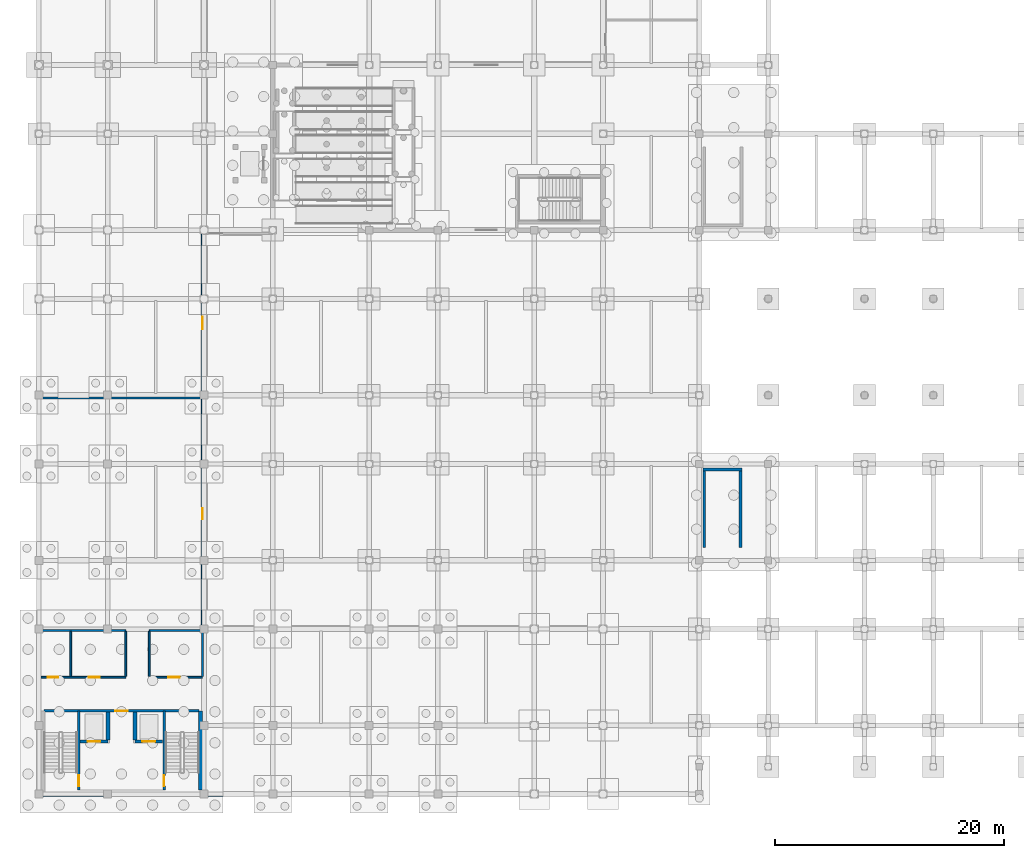
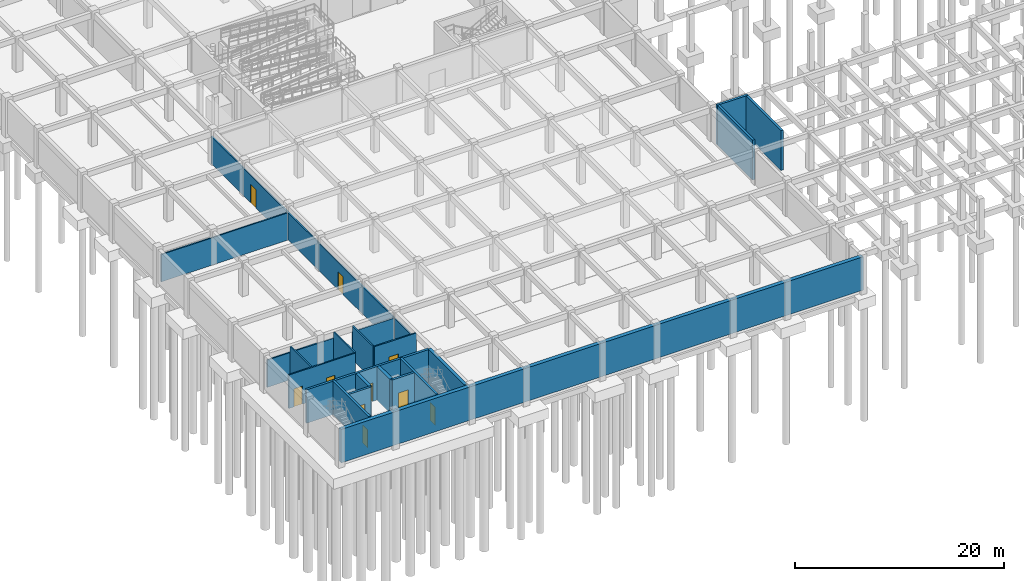
# One storey, part 24 of 40: 22 walls, 10 doors, 10 openings.
"""IFC4 building model written with IfcOpenShell, lengths in metres."""

from ifc_helpers import new_model, si_unit, direction, frame, frame_2d, origin, place, context, subcontext, project, spatial, rectangle, extrude, material, layer, layer_set, type_object, element, fill, save


model = new_model("IFC4")

# Units and contexts
model_context = context("Model", 3, precision=1e-05, world=origin(), true_north=direction((0.0, 1.0)))
body_context = subcontext(model_context, "Body", "Model", "MODEL_VIEW")
ifc_project = project(units=[si_unit("LENGTHUNIT", "METRE"), si_unit("AREAUNIT", "SQUARE_METRE"), si_unit("VOLUMEUNIT", "CUBIC_METRE"), si_unit("PLANEANGLEUNIT", "RADIAN"), si_unit("MASSUNIT", "GRAM", prefix="KILO"), si_unit("THERMODYNAMICTEMPERATUREUNIT", "KELVIN")], contexts=[model_context])

# Site, building, storey
site_placement = place(None, origin())
site = spatial("IfcSite", under=ifc_project, at=site_placement, CompositionType="ELEMENT")
building_placement = place(site_placement, origin())
building = spatial("IfcBuilding", under=site, at=building_placement, Name="Thalorik Housing Commons", CompositionType="ELEMENT")
storey_placement = place(building_placement, frame((0.0, 0.0, -4.199951171875)))
storey = spatial("IfcBuildingStorey", under=building, at=storey_placement, Name="B1", CompositionType="ELEMENT", Elevation=-4.199951171875)

# Walls
ifc_material_1 = material(Name="Concrete C40/50", Category="concrete")
ifc_layer_1 = layer(ifc_material_1, 0.25, Name="Concrete C40/50", Category="concrete")
ifc_layer_set_1 = layer_set([ifc_layer_1], Name="Concrete C40/50")
wall_type_1 = type_object("IfcWallType", Name="ARC-WAL-CORE-250", PredefinedType="SHEAR", material=ifc_layer_set_1)
for number, where, z_axis, x_axis, name in (
    (1, (69.574951171875, 29.89990234375, -0.449951171875), (0.0, 0.0, 1.0), (0.0, 1.0, 0.0), "B1 Stair ST-S1 Structural Support Wall L"),
    (2, (66.425048828125, 29.89990234375, -0.449951171875), (0.0, 0.0, 1.0), (0.0, 1.0, 0.0), "B1 Stair ST-S1 Structural Support Wall R"),
):
    element("IfcWall", number, at=place(storey_placement, frame(where, z_axis=z_axis, x_axis=x_axis)), inside=storey, type_object=wall_type_1, Name=name, PredefinedType="SHEAR", context=body_context, shape_type="SweptSolid", body=[
        extrude(rectangle(XDim=6.7001953125, YDim=0.25, at=frame_2d((3.35009765625, 0.0))), origin(), (0.0, 0.0, 1.0), 4.64990234375),
    ])
wall_1_placement = place(storey_placement, frame((69.699951171875, 36.72509765625, -0.449951171875), z_axis=(0.0, 0.0, 1.0), x_axis=(-1.0, 0.0, 0.0)))
element("IfcWall", 3, at=wall_1_placement, inside=storey, type_object=wall_type_1, Name="B1 Stair ST-S1 Structural Support Wall F", PredefinedType="SHEAR", context=body_context, shape_type="SweptSolid", body=[
    extrude(rectangle(XDim=3.39990234375, YDim=0.25, at=frame_2d((1.699951171875, 0.0))), origin(), (0.0, 0.0, 1.0), 4.64990234375),
])

# Wall, opening, door
wall_2_placement = place(storey_placement, frame((11.875, 8.75, 0.0), z_axis=(0.0, 0.0, 1.0), x_axis=(0.0, 1.0, 0.0)))
wall_2 = element("IfcWall", 4, at=wall_2_placement, inside=storey, type_object=wall_type_1, Name="B1 Core C Stair 1 Shear Wall", PredefinedType="SHEAR", context=body_context, shape_type="SweptSolid", body=[
    extrude(rectangle(XDim=6.925048828125, YDim=0.25, at=frame_2d((3.46240234375, 0.0))), origin(), (0.0, 0.0, 1.0), 3.89990234375),
])
opening_1_placement = place(wall_2_placement, frame((0.35009765625, 0.0, 0.0)))
opening_1 = element("IfcOpeningElement", 5, at=opening_1_placement, cuts=wall_2, Name="Opening ID-0249", PredefinedType="OPENING", context=body_context, shape_type="SweptSolid", body=[
    extrude(rectangle(XDim=0.949951171875, YDim=2.10009765625, at=frame_2d((0.47509765625, 1.050048828125))), frame((0.0, 0.135009765625, 0.0), z_axis=(0.0, -1.0, 0.0), x_axis=(1.0, 0.0, 0.0)), (0.0, 0.0, 1.0), 0.27001953125),
])
ifc_material_2 = material(Name="Steel S355", Category="steel")
door_type_1 = type_object("IfcDoorType", Name="ARC-DR-FD60-950", OperationType="NOTDEFINED", PredefinedType="DOOR", material=ifc_material_2)
door_1_placement = place(opening_1_placement, origin())
door_1 = element("IfcDoor", 6, at=door_1_placement, inside=storey, type_object=door_type_1, Name="B1 Stair ST-C1 Fire Door", OperationType="SINGLE_SWING_RIGHT", OverallHeight=2.10009765625, OverallWidth=0.949951171875, PredefinedType="DOOR", context=body_context, shape_type="SweptSolid", body=[
    extrude(rectangle(XDim=0.949951171875, YDim=2.10009765625, at=frame_2d((0.47509765625, 1.050048828125))), frame((0.0, 0.02490234375, 0.0), z_axis=(0.0, -1.0, 0.0), x_axis=(1.0, 0.0, 0.0)), (0.0, 0.0, 1.0), 0.050048828125),
])
fill(opening_1, door_1)

wall_3_placement = place(storey_placement, frame((19.324951171875, 8.75, 0.0), z_axis=(0.0, 0.0, 1.0), x_axis=(0.0, 1.0, 0.0)))
wall_3 = element("IfcWall", 7, at=wall_3_placement, inside=storey, type_object=wall_type_1, Name="B1 Core C Stair 2 Shear Wall", PredefinedType="SHEAR", context=body_context, shape_type="SweptSolid", body=[
    extrude(rectangle(XDim=6.925048828125, YDim=0.25, at=frame_2d((3.46240234375, 0.0))), origin(), (0.0, 0.0, 1.0), 3.89990234375),
])
opening_2_placement = place(wall_3_placement, frame((0.35009765625, 0.0, 0.0)))
opening_2 = element("IfcOpeningElement", 8, at=opening_2_placement, cuts=wall_3, Name="Opening ID-0250", PredefinedType="OPENING", context=body_context, shape_type="SweptSolid", body=[
    extrude(rectangle(XDim=0.949951171875, YDim=2.10009765625, at=frame_2d((0.47509765625, 1.050048828125))), frame((0.0, 0.135009765625, 0.0), z_axis=(0.0, -1.0, 0.0), x_axis=(1.0, 0.0, 0.0)), (0.0, 0.0, 1.0), 0.27001953125),
])
door_2_placement = place(opening_2_placement, origin())
door_2 = element("IfcDoor", 9, at=door_2_placement, inside=storey, type_object=door_type_1, Name="B1 Stair ST-C2 Fire Door", OperationType="SINGLE_SWING_LEFT", OverallHeight=2.10009765625, OverallWidth=0.949951171875, PredefinedType="DOOR", context=body_context, shape_type="SweptSolid", body=[
    extrude(rectangle(XDim=0.949951171875, YDim=2.10009765625, at=frame_2d((0.47509765625, 1.050048828125))), frame((0.0, 0.02490234375, 0.0), z_axis=(0.0, -1.0, 0.0), x_axis=(1.0, 0.0, 0.0)), (0.0, 0.0, 1.0), 0.050048828125),
])
fill(opening_2, door_2)

wall_4_placement = place(storey_placement, frame((12.0, 13.0, 0.0), z_axis=(0.0, 0.0, 1.0), x_axis=(1.0, 0.0, 0.0)))
wall_4 = element("IfcWall", 10, at=wall_4_placement, inside=storey, type_object=wall_type_1, Name="B1 Lift LF-C1 Front Shaft Wall", PredefinedType="SHEAR", context=body_context, shape_type="SweptSolid", body=[
    extrude(rectangle(XDim=2.425048828125, YDim=0.25, at=frame_2d((1.21240234375, 0.0))), origin(), (0.0, 0.0, 1.0), 3.89990234375),
])
opening_3_placement = place(wall_4_placement, frame((0.64990234375, 0.0, 0.0)))
opening_3 = element("IfcOpeningElement", 11, at=opening_3_placement, cuts=wall_4, Name="Opening LD-LF-C1-B1", PredefinedType="OPENING", context=body_context, shape_type="SweptSolid", body=[
    extrude(rectangle(XDim=1.10009765625, YDim=2.14990234375, at=frame_2d((0.550048828125, 1.074951171875))), frame((0.0, 0.135009765625, 0.0), z_axis=(0.0, -1.0, 0.0), x_axis=(1.0, 0.0, 0.0)), (0.0, 0.0, 1.0), 0.27001953125),
])
door_type_2 = type_object("IfcDoorType", Name="ARC-DR-LIFT-1100", OperationType="NOTDEFINED", PredefinedType="DOOR", material=ifc_material_2)
door_3_placement = place(opening_3_placement, origin())
door_3 = element("IfcDoor", 12, at=door_3_placement, inside=storey, type_object=door_type_2, Name="B1 Lift LF-C1 Landing Door", OperationType="SLIDING_TO_LEFT", OverallHeight=2.14990234375, OverallWidth=1.10009765625, PredefinedType="DOOR", context=body_context, shape_type="SweptSolid", body=[
    extrude(rectangle(XDim=1.10009765625, YDim=2.14990234375, at=frame_2d((0.550048828125, 1.074951171875))), frame((0.0, 0.02490234375, 0.0), z_axis=(0.0, -1.0, 0.0), x_axis=(1.0, 0.0, 0.0)), (0.0, 0.0, 1.0), 0.050048828125),
])
fill(opening_3, door_3)

wall_5_placement = place(storey_placement, frame((16.77490234375, 13.0, 0.0), z_axis=(0.0, 0.0, 1.0), x_axis=(1.0, 0.0, 0.0)))
wall_5 = element("IfcWall", 13, at=wall_5_placement, inside=storey, type_object=wall_type_1, Name="B1 Lift LP-C2 Front Shaft Wall", PredefinedType="SHEAR", context=body_context, shape_type="SweptSolid", body=[
    extrude(rectangle(XDim=2.425048828125, YDim=0.25, at=frame_2d((1.21240234375, 0.0))), origin(), (0.0, 0.0, 1.0), 3.89990234375),
])
opening_4_placement = place(wall_5_placement, frame((0.64990234375, 0.0, 0.0)))
opening_4 = element("IfcOpeningElement", 14, at=opening_4_placement, cuts=wall_5, Name="Opening LD-LP-C2-B1", PredefinedType="OPENING", context=body_context, shape_type="SweptSolid", body=[
    extrude(rectangle(XDim=1.10009765625, YDim=2.14990234375, at=frame_2d((0.550048828125, 1.074951171875))), frame((0.0, 0.135009765625, 0.0), z_axis=(0.0, -1.0, 0.0), x_axis=(1.0, 0.0, 0.0)), (0.0, 0.0, 1.0), 0.27001953125),
])
door_4_placement = place(opening_4_placement, origin())
door_4 = element("IfcDoor", 15, at=door_4_placement, inside=storey, type_object=door_type_2, Name="B1 Lift LP-C2 Landing Door", OperationType="SLIDING_TO_LEFT", OverallHeight=2.14990234375, OverallWidth=1.10009765625, PredefinedType="DOOR", context=body_context, shape_type="SweptSolid", body=[
    extrude(rectangle(XDim=1.10009765625, YDim=2.14990234375, at=frame_2d((0.550048828125, 1.074951171875))), frame((0.0, 0.02490234375, 0.0), z_axis=(0.0, -1.0, 0.0), x_axis=(1.0, 0.0, 0.0)), (0.0, 0.0, 1.0), 0.050048828125),
])
fill(opening_4, door_4)

wall_6_placement = place(storey_placement, frame((8.85009765625, 15.675048828125, 0.0), z_axis=(0.0, 0.0, 1.0), x_axis=(1.0, 0.0, 0.0)))
wall_6 = element("IfcWall", 16, at=wall_6_placement, inside=storey, type_object=wall_type_1, Name="B1 Core C Spine Shear Wall", PredefinedType="SHEAR", context=body_context, shape_type="SweptSolid", body=[
    extrude(rectangle(XDim=13.5, YDim=0.25, at=frame_2d((6.75, 0.0))), origin(), (0.0, 0.0, 1.0), 3.89990234375),
])
opening_5_placement = place(wall_6_placement, frame((6.199951171875, 0.0, 0.0)))
opening_5 = element("IfcOpeningElement", 17, at=opening_5_placement, cuts=wall_6, Name="Opening ID-0253", PredefinedType="OPENING", context=body_context, shape_type="SweptSolid", body=[
    extrude(rectangle(XDim=1.10009765625, YDim=2.14990234375, at=frame_2d((0.550048828125, 1.074951171875))), frame((0.0, 0.135009765625, 0.0), z_axis=(0.0, -1.0, 0.0), x_axis=(1.0, 0.0, 0.0)), (0.0, 0.0, 1.0), 0.27001953125),
])
door_type_3 = type_object("IfcDoorType", Name="ARC-DR-FD60-1100", OperationType="NOTDEFINED", PredefinedType="DOOR", material=ifc_material_2)
door_5_placement = place(opening_5_placement, origin())
door_5 = element("IfcDoor", 18, at=door_5_placement, inside=storey, type_object=door_type_3, Name="B1 Core C Lobby Fire Door", OperationType="SINGLE_SWING_RIGHT", OverallHeight=2.14990234375, OverallWidth=1.10009765625, PredefinedType="DOOR", context=body_context, shape_type="SweptSolid", body=[
    extrude(rectangle(XDim=1.10009765625, YDim=2.14990234375, at=frame_2d((0.550048828125, 1.074951171875))), frame((0.0, 0.02490234375, 0.0), z_axis=(0.0, -1.0, 0.0), x_axis=(1.0, 0.0, 0.0)), (0.0, 0.0, 1.0), 0.050048828125),
])
fill(opening_5, door_5)

# Walls
ifc_layer_2 = layer(ifc_material_1, 0.340087890625, Name="Concrete C40/50", Category="concrete")
ifc_layer_set_2 = layer_set([ifc_layer_2], Name="Concrete C40/50")
wall_type_2 = type_object("IfcWallType", Name="ARC-WAL-CORE-340", PredefinedType="SHEAR", material=ifc_layer_set_2)
wall_7_placement = place(storey_placement, frame((22.47509765625, 8.75, 0.0), z_axis=(0.0, 0.0, 1.0), x_axis=(0.0, 1.0, 0.0)))
element("IfcWall", 19, at=wall_7_placement, inside=storey, type_object=wall_type_2, Name="B1 Core C Stair 2 Outer Shear Wall", PredefinedType="SHEAR", context=body_context, shape_type="SweptSolid", body=[
    extrude(rectangle(XDim=6.925048828125, YDim=0.340087890625, at=frame_2d((3.46240234375, 0.0))), origin(), (0.0, 0.0, 1.0), 3.89990234375),
])
for number, where, z_axis, x_axis, name in (
    (20, (14.425048828125, 13.125, 0.0), (0.0, 0.0, 1.0), (0.0, 1.0, 0.0), "B1 Lift 1 Cheek Wall"),
    (21, (16.77490234375, 13.125, 0.0), (0.0, 0.0, 1.0), (0.0, 1.0, 0.0), "B1 Lift 2 Cheek Wall"),
):
    element("IfcWall", number, at=place(storey_placement, frame(where, z_axis=z_axis, x_axis=x_axis)), inside=storey, type_object=wall_type_2, Name=name, PredefinedType="SHEAR", context=body_context, shape_type="SweptSolid", body=[
        extrude(rectangle(XDim=2.425048828125, YDim=0.340087890625, at=frame_2d((1.21240234375, 0.0))), origin(), (0.0, 0.0, 1.0), 3.89990234375),
    ])
ifc_material_3 = material(Name="Ceramic masonry partition wall", Category="masonry")
ifc_layer_3 = layer(ifc_material_3, 0.14794921875, Name="Ceramic masonry partition wall", Category="masonry")
ifc_layer_set_3 = layer_set([ifc_layer_3], Name="Ceramic masonry partition wall")
wall_type_3 = type_object("IfcWallType", Name="ARC-WAL-PART-150", PredefinedType="PARTITIONING", material=ifc_layer_set_3)
for number, where, z_axis, x_axis, name in (
    (22, (11.175048828125, 18.676025390625, 0.0), (0.0, 0.0, 1.0), (0.0, 1.0, 0.0), "Riser Wall"),
    (23, (15.97509765625, 18.676025390625, 0.0), (0.0, 0.0, 1.0), (0.0, 1.0, 0.0), "Core Stem West Cheek Wall"),
    (24, (18.02490234375, 18.676025390625, 0.0), (0.0, 0.0, 1.0), (0.0, 1.0, 0.0), "Core Stem East Cheek Wall"),
):
    element("IfcWall", number, at=place(storey_placement, frame(where, z_axis=z_axis, x_axis=x_axis)), inside=storey, type_object=wall_type_3, Name=name, PredefinedType="PARTITIONING", context=body_context, shape_type="SweptSolid", body=[
        extrude(rectangle(XDim=3.927978515625, YDim=0.14794921875, at=frame_2d((1.9638671875, 0.0))), origin(), (0.0, 0.0, 1.0), 3.89990234375),
    ])
wall_8_placement = place(storey_placement, frame((22.659912109375, 18.676025390625, 0.0), z_axis=(0.0, 0.0, 1.0), x_axis=(0.0, 1.0, 0.0)))
element("IfcWall", 25, at=wall_8_placement, inside=storey, type_object=wall_type_3, Name="Core East Enclosing Wall", PredefinedType="PARTITIONING", context=body_context, shape_type="SweptSolid", body=[
    extrude(rectangle(XDim=3.927978515625, YDim=0.14794921875, at=frame_2d((1.9638671875, 0.0))), origin(), (0.0, 0.0, 1.0), 3.18505859375),
])

# Wall, openings, doors
wall_9_placement = place(storey_placement, frame((8.592041015625, 18.60009765625, 0.0), z_axis=(0.0, 0.0, 1.0), x_axis=(1.0, 0.0, 0.0)))
wall_9 = element("IfcWall", 26, at=wall_9_placement, inside=storey, type_object=wall_type_3, Name="B1 Core C West Corridor Partition", PredefinedType="PARTITIONING", context=body_context, shape_type="SweptSolid", body=[
    extrude(rectangle(XDim=7.383056640625, YDim=0.14794921875, at=frame_2d((3.69140625, 0.0))), origin(), (0.0, 0.0, 1.0), 3.89990234375),
])
opening_6_placement = place(wall_9_placement, frame((0.597900390625, 0.0, 0.0)))
opening_6 = element("IfcOpeningElement", 27, at=opening_6_placement, cuts=wall_9, Name="Opening ID-0254", PredefinedType="OPENING", context=body_context, shape_type="SweptSolid", body=[
    extrude(rectangle(XDim=0.89990234375, YDim=2.10009765625, at=frame_2d((0.449951171875, 1.050048828125))), frame((0.0, 0.083984375, 0.0), z_axis=(0.0, -1.0, 0.0), x_axis=(1.0, 0.0, 0.0)), (0.0, 0.0, 1.0), 0.16796875),
])
opening_7_placement = place(wall_9_placement, frame((4.14794921875, 0.0, 0.0)))
opening_7 = element("IfcOpeningElement", 28, at=opening_7_placement, cuts=wall_9, Name="Opening ID-0255", PredefinedType="OPENING", context=body_context, shape_type="SweptSolid", body=[
    extrude(rectangle(XDim=0.949951171875, YDim=2.10009765625, at=frame_2d((0.47509765625, 1.050048828125))), frame((0.0, 0.083984375, 0.0), z_axis=(0.0, -1.0, 0.0), x_axis=(1.0, 0.0, 0.0)), (0.0, 0.0, 1.0), 0.16796875),
])
door_type_4 = type_object("IfcDoorType", Name="ARC-DR-FD60-900", OperationType="NOTDEFINED", PredefinedType="DOOR", material=ifc_material_2)
door_6_placement = place(opening_6_placement, origin())
door_6 = element("IfcDoor", 29, at=door_6_placement, inside=storey, type_object=door_type_4, Name="Electrical Riser Door", OperationType="SINGLE_SWING_LEFT", OverallHeight=2.10009765625, OverallWidth=0.89990234375, PredefinedType="DOOR", context=body_context, shape_type="SweptSolid", body=[
    extrude(rectangle(XDim=0.89990234375, YDim=2.10009765625, at=frame_2d((0.449951171875, 1.050048828125))), frame((0.0, 0.02490234375, 0.0), z_axis=(0.0, -1.0, 0.0), x_axis=(1.0, 0.0, 0.0)), (0.0, 0.0, 1.0), 0.050048828125),
])
fill(opening_6, door_6)
ifc_material_4 = material(Name="Engineered oak timber", Category="wood")
door_type_5 = type_object("IfcDoorType", Name="ARC-DR-INT-950", OperationType="NOTDEFINED", PredefinedType="DOOR", material=ifc_material_4)
door_7_placement = place(opening_7_placement, origin())
door_7 = element("IfcDoor", 30, at=door_7_placement, inside=storey, type_object=door_type_5, Name="Accessible Bathroom Door", OperationType="SINGLE_SWING_RIGHT", OverallHeight=2.10009765625, OverallWidth=0.949951171875, PredefinedType="DOOR", context=body_context, shape_type="SweptSolid", body=[
    extrude(rectangle(XDim=0.949951171875, YDim=2.10009765625, at=frame_2d((0.47509765625, 1.050048828125))), frame((0.0, 0.02490234375, 0.0), z_axis=(0.0, -1.0, 0.0), x_axis=(1.0, 0.0, 0.0)), (0.0, 0.0, 1.0), 0.050048828125),
])
fill(opening_7, door_7)

# Wall, opening, door
wall_10_placement = place(storey_placement, frame((18.02490234375, 18.60009765625, 0.0), z_axis=(0.0, 0.0, 1.0), x_axis=(1.0, 0.0, 0.0)))
wall_10 = element("IfcWall", 31, at=wall_10_placement, inside=storey, type_object=wall_type_3, Name="B1 Core C East Corridor Partition", PredefinedType="PARTITIONING", context=body_context, shape_type="SweptSolid", body=[
    extrude(rectangle(XDim=4.635009765625, YDim=0.14794921875, at=frame_2d((2.3173828125, 0.0))), origin(), (0.0, 0.0, 1.0), 3.89990234375),
])
opening_8_placement = place(wall_10_placement, frame((1.64990234375, 0.0, 0.0)))
opening_8 = element("IfcOpeningElement", 32, at=opening_8_placement, cuts=wall_10, Name="Opening ID-0256", PredefinedType="OPENING", context=body_context, shape_type="SweptSolid", body=[
    extrude(rectangle(XDim=1.0, YDim=2.14990234375, at=frame_2d((0.5, 1.074951171875))), frame((0.0, 0.083984375, 0.0), z_axis=(0.0, -1.0, 0.0), x_axis=(1.0, 0.0, 0.0)), (0.0, 0.0, 1.0), 0.16796875),
])
door_type_6 = type_object("IfcDoorType", Name="ARC-DR-FD60-1000", OperationType="NOTDEFINED", PredefinedType="DOOR", material=ifc_material_2)
door_8_placement = place(opening_8_placement, origin())
door_8 = element("IfcDoor", 33, at=door_8_placement, inside=storey, type_object=door_type_6, Name="Core Hub Room Door", OperationType="SINGLE_SWING_LEFT", OverallHeight=2.14990234375, OverallWidth=1.0, PredefinedType="DOOR", context=body_context, shape_type="SweptSolid", body=[
    extrude(rectangle(XDim=1.0, YDim=2.14990234375, at=frame_2d((0.5, 1.074951171875))), frame((0.0, 0.02490234375, 0.0), z_axis=(0.0, -1.0, 0.0), x_axis=(1.0, 0.0, 0.0)), (0.0, 0.0, 1.0), 0.050048828125),
])
fill(opening_8, door_8)

# Walls
wall_11_placement = place(storey_placement, frame((8.592041015625, 22.679931640625, 0.0), z_axis=(0.0, 0.0, 1.0), x_axis=(1.0, 0.0, 0.0)))
element("IfcWall", 34, at=wall_11_placement, inside=storey, type_object=wall_type_3, Name="B1 Core C West Rooms Back Wall", PredefinedType="PARTITIONING", context=body_context, shape_type="SweptSolid", body=[
    extrude(rectangle(XDim=7.383056640625, YDim=0.14794921875, at=frame_2d((3.69140625, 0.0))), origin(), (0.0, 0.0, 1.0), 3.18505859375),
])
wall_12_placement = place(storey_placement, frame((18.02490234375, 22.679931640625, 0.0), z_axis=(0.0, 0.0, 1.0), x_axis=(1.0, 0.0, 0.0)))
element("IfcWall", 35, at=wall_12_placement, inside=storey, type_object=wall_type_3, Name="B1 Core C East Rooms Back Wall", PredefinedType="PARTITIONING", context=body_context, shape_type="SweptSolid", body=[
    extrude(rectangle(XDim=4.635009765625, YDim=0.14794921875, at=frame_2d((2.3173828125, 0.0))), origin(), (0.0, 0.0, 1.0), 3.18505859375),
])
wall_13_placement = place(storey_placement, frame((8.60009765625, 42.949951171875, 0.0), z_axis=(0.0, 0.0, 1.0), x_axis=(1.0, 0.0, 0.0)))
element("IfcWall", 36, at=wall_13_placement, inside=storey, type_object=wall_type_3, Name="B1 Waste Room Divider", PredefinedType="PARTITIONING", context=body_context, shape_type="SweptSolid", body=[
    extrude(rectangle(XDim=13.973876953125, YDim=0.14794921875, at=frame_2d((6.98681640625, 0.0))), origin(), (0.0, 0.0, 1.0), 3.18505859375),
])

# Wall, openings, doors
wall_14_placement = place(storey_placement, frame((22.64990234375, 22.800048828125, 0.0), z_axis=(0.0, 0.0, 1.0), x_axis=(0.0, 1.0, 0.0)))
wall_14 = element("IfcWall", 37, at=wall_14_placement, inside=storey, type_object=wall_type_3, Name="B1 Bicycle Hub West Wall", PredefinedType="PARTITIONING", context=body_context, shape_type="SweptSolid", body=[
    extrude(rectangle(XDim=34.800048828125, YDim=0.14794921875, at=frame_2d((17.39990234375, 0.0))), origin(), (0.0, 0.0, 1.0), 3.18505859375),
])
opening_9_placement = place(wall_14_placement, frame((9.560791015625, 0.0, 0.0)))
opening_9 = element("IfcOpeningElement", 38, at=opening_9_placement, cuts=wall_14, Name="Opening ID-2233", PredefinedType="OPENING", context=body_context, shape_type="SweptSolid", body=[
    extrude(rectangle(XDim=1.0, YDim=2.10009765625, at=frame_2d((0.5, 1.050048828125))), frame((0.0, 0.083984375, 0.0), z_axis=(0.0, -1.0, 0.0), x_axis=(1.0, 0.0, 0.0)), (0.0, 0.0, 1.0), 0.16796875),
])
opening_10_placement = place(wall_14_placement, frame((26.162841796875, 0.0, 0.0)))
opening_10 = element("IfcOpeningElement", 39, at=opening_10_placement, cuts=wall_14, Name="Opening ID-2234", PredefinedType="OPENING", context=body_context, shape_type="SweptSolid", body=[
    extrude(rectangle(XDim=1.10009765625, YDim=2.14990234375, at=frame_2d((0.550048828125, 1.074951171875))), frame((0.0, 0.083984375, 0.0), z_axis=(0.0, -1.0, 0.0), x_axis=(1.0, 0.0, 0.0)), (0.0, 0.0, 1.0), 0.16796875),
])
door_9_placement = place(opening_10_placement, origin())
door_9 = element("IfcDoor", 40, at=door_9_placement, inside=storey, type_object=door_type_3, Name="Solid Waste Room Door", OperationType="SINGLE_SWING_LEFT", OverallHeight=2.14990234375, OverallWidth=1.10009765625, PredefinedType="DOOR", context=body_context, shape_type="SweptSolid", body=[
    extrude(rectangle(XDim=1.10009765625, YDim=2.14990234375, at=frame_2d((0.550048828125, 1.074951171875))), frame((0.0, 0.02490234375, 0.0), z_axis=(0.0, -1.0, 0.0), x_axis=(1.0, 0.0, 0.0)), (0.0, 0.0, 1.0), 0.050048828125),
])
fill(opening_10, door_9)
door_type_7 = type_object("IfcDoorType", Name="ARC-DR-INT-1000", OperationType="NOTDEFINED", PredefinedType="DOOR", material=ifc_material_4)
door_10_placement = place(opening_9_placement, origin())
door_10 = element("IfcDoor", 41, at=door_10_placement, inside=storey, type_object=door_type_7, Name="Cyclist Changing Room Door", OperationType="SINGLE_SWING_RIGHT", OverallHeight=2.10009765625, OverallWidth=1.0, PredefinedType="DOOR", context=body_context, shape_type="SweptSolid", body=[
    extrude(rectangle(XDim=1.0, YDim=2.10009765625, at=frame_2d((0.5, 1.050048828125))), frame((0.0, 0.02490234375, 0.0), z_axis=(0.0, -1.0, 0.0), x_axis=(1.0, 0.0, 0.0)), (0.0, 0.0, 1.0), 0.050048828125),
])
fill(opening_9, door_10)

# Wall
ifc_layer_4 = layer(ifc_material_1, 0.419921875, Name="Concrete C40/50", Category="concrete")
ifc_layer_set_4 = layer_set([ifc_layer_4], Name="Concrete C40/50")
wall_type_4 = type_object("IfcWallType", Name="ARC-WAL-RET-420", PredefinedType="SHEAR", material=ifc_layer_set_4)
wall_15_placement = place(storey_placement, frame((8.39990234375, 8.39990234375, 0.0), z_axis=(0.0, 0.0, 1.0), x_axis=(1.0, 0.0, 0.0)))
element("IfcWall", 42, at=wall_15_placement, inside=storey, type_object=wall_type_4, Name="B1 Exterior Wall WAL-B1-RET-04", PredefinedType="SHEAR", context=body_context, shape_type="SweptSolid", body=[
    extrude(rectangle(XDim=57.60009765625, YDim=0.419921875, at=frame_2d((28.800048828125, 0.0))), origin(), (0.0, 0.0, 1.0), 3.89990234375),
])

save(model, "model.ifc")
